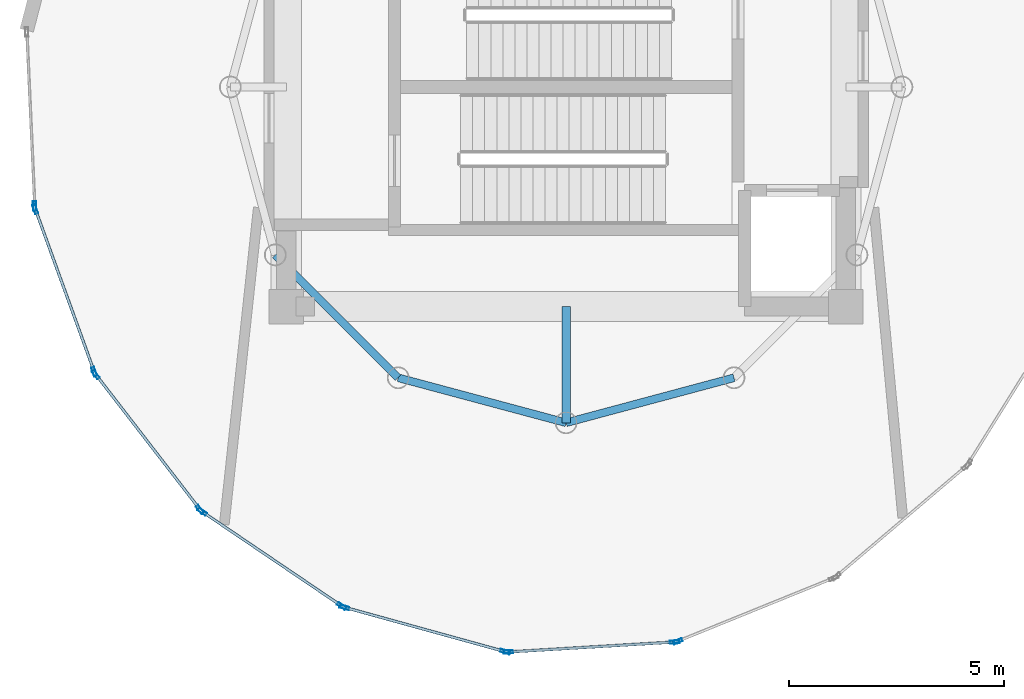
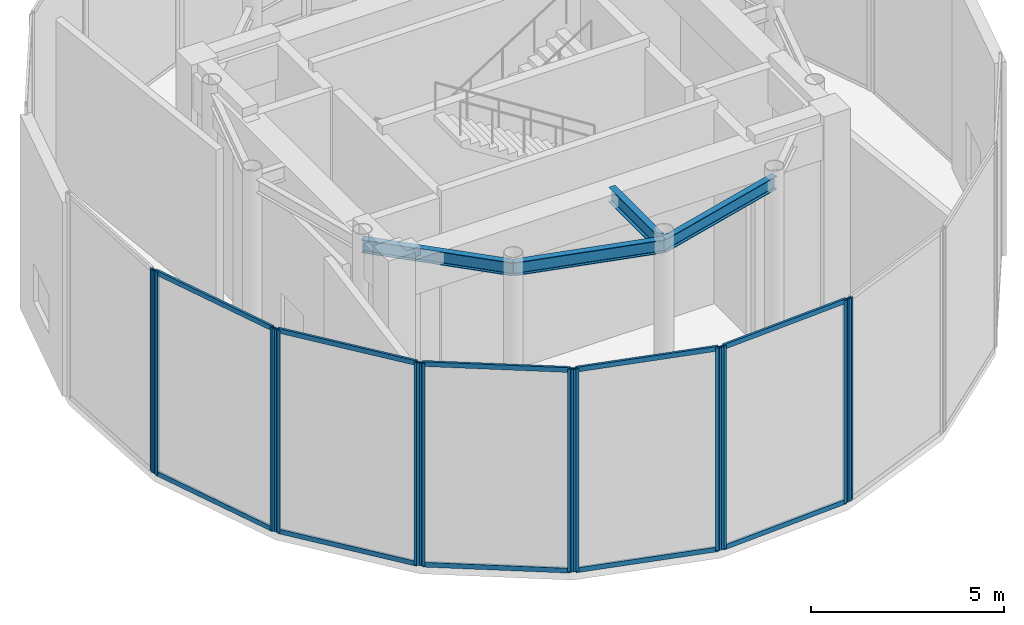
# One storey, part 2 of 10: 22 members, 4 beams, 7 elements without a shape of their own.
"""IFC4 building model written with IfcOpenShell, lengths in metres."""

from ifc_helpers import new_model, si_unit, direction, frame, origin, origin_2d, place, context, subcontext, project, spatial, hollow_rectangle, i_section, extrude, source, transform, mapped, material, layer, layer_set, material_profile, profile_set, type_object, element, aggregate, save


model = new_model("IFC4")

# Units and contexts
model_context = context("Model", 3, precision=1e-05, world=origin(), true_north=direction((0.0, 1.0)))
body_context = subcontext(model_context, "Body", "Model", "MODEL_VIEW")
ifc_project = project(units=[si_unit("LENGTHUNIT", "METRE"), si_unit("AREAUNIT", "SQUARE_METRE"), si_unit("VOLUMEUNIT", "CUBIC_METRE"), si_unit("PLANEANGLEUNIT", "RADIAN"), si_unit("MASSUNIT", "GRAM", prefix="KILO")], contexts=[model_context])

# Site, building, storey
site_placement = place(None, origin())
site = spatial("IfcSite", under=ifc_project, at=site_placement, CompositionType="ELEMENT")
building_placement = place(site_placement, origin())
building = spatial("IfcBuilding", under=site, at=building_placement, Name="Solvirekh Grand Hotel", CompositionType="ELEMENT")
storey_placement = place(building_placement, frame((0.0, 0.0, 308.199951171875)))
storey = spatial("IfcBuildingStorey", under=building, at=storey_placement, Name="L79", CompositionType="ELEMENT", Elevation=308.199951171875)

# Beams
ifc_material_1 = material(Name="Steel S355", Category="steel")
ifc_material_profile_1 = material_profile(ifc_material_1, i_section(OverallWidth=0.194091796875, OverallDepth=0.468994140625, WebThickness=0.010986328125, FlangeThickness=0.01904296875, FilletRadius=0.012939453125, at=origin_2d()), Name="W460X106")
ifc_profile_set_1 = profile_set([ifc_material_profile_1], Name="Steel S355")
beam_type_1 = type_object("IfcBeamType", Name="Beam_Radial_W460H", PredefinedType="BEAM", material=ifc_profile_set_1)
beam_placement = place(storey_placement, frame((0.0, -5.10009765625, 5.885009765625), z_axis=(0.0, -1.0, 0.0), x_axis=(1.0, 0.0, 0.0)))
element("IfcBeam", 1, at=beam_placement, inside=storey, type_object=beam_type_1, Name="L79 radial floor beam R10", PredefinedType="BEAM", context=body_context, shape_type="SweptSolid", body=[
    extrude(i_section(OverallWidth=0.194091796875, OverallDepth=0.468994140625, WebThickness=0.010986328125, FlangeThickness=0.01904296875, FilletRadius=0.012939453125, at=origin_2d()), origin(), (0.0, 0.0, 1.0), 2.699951171875),
])
ifc_material_profile_2 = material_profile(ifc_material_1, i_section(OverallWidth=0.180908203125, OverallDepth=0.4169921875, WebThickness=0.010009765625, FlangeThickness=0.01611328125, FilletRadius=0.011962890625, at=origin_2d()), Name="W410X85")
ifc_profile_set_2 = profile_set([ifc_material_profile_2], Name="Steel S355")
beam_type_2 = type_object("IfcBeamType", Name="Spandrel_Ring_W410", PredefinedType="SPANDREL", material=ifc_profile_set_2)
for number, where, z_axis, x_axis, name in (
    (2, (-6.7548828125, -3.89990234375, 5.9111328125), (0.707106781187, -0.707106781187, 0.0), (0.707106781187, 0.707106781187, 0.0), "L79 perimeter spandrel beam 8"),
    (3, (-3.89990234375, -6.7548828125, 5.9111328125), (0.965914040095, -0.258863027773, 0.0), (0.258863027773, 0.965914040095, 0.0), "L79 perimeter spandrel beam 9"),
    (4, (0.0, -7.800048828125, 5.9111328125), (0.965914040095, 0.258863027773, 0.0), (-0.258863027773, 0.965914040095, 0.0), "L79 perimeter spandrel beam 10"),
):
    element("IfcBeam", number, at=place(storey_placement, frame(where, z_axis=z_axis, x_axis=x_axis)), inside=storey, type_object=beam_type_2, Name=name, PredefinedType="SPANDREL", context=body_context, shape_type="SweptSolid", body=[
        extrude(i_section(OverallWidth=0.180908203125, OverallDepth=0.4169921875, WebThickness=0.010009765625, FlangeThickness=0.01611328125, FilletRadius=0.011962890625, at=origin_2d()), origin(), (0.0, 0.0, 1.0), 4.03759765625),
    ])

# Curtain wall, members
ifc_material_2 = material(Name="Anodized Bronze Aluminium 6063-T6", Category="aluminium")
ifc_layer = layer(ifc_material_2, 0.219970703125)
ifc_layer_set = layer_set([ifc_layer], Name="Anodized Bronze Aluminium 6063-T6")
curtain_wall_type = type_object("IfcCurtainWallType", Name="CW_Sys6_CrownFacetedPointCW", PredefinedType="NOTDEFINED", material=ifc_layer_set)
curtain_wall_1_placement = place(storey_placement, origin())
curtain_wall_1 = element("IfcCurtainWall", 5, at=curtain_wall_1_placement, inside=storey, type_object=curtain_wall_type, Name="L79 unitised bronze-glass curtain wall CW-L79-C01", PredefinedType="NOTDEFINED")
ifc_material_profile_3 = material_profile(ifc_material_2, hollow_rectangle(XDim=0.074951171875, YDim=0.219970703125, WallThickness=0.006103515625, at=origin_2d()), Name="ALU RHS 220X75X6")
ifc_profile_set_3 = profile_set([ifc_material_profile_3], Name="Anodized Bronze Aluminium 6063-T6")
member_type_1 = type_object("IfcMemberType", Name="CWMullion_Sys6", PredefinedType="MULLION", material=ifc_profile_set_3)
shared_shape_1 = source(origin(), body_context, "Body", "SweptSolid", [
    extrude(hollow_rectangle(XDim=0.074951171875, YDim=0.219970703125, WallThickness=0.006103515625, at=origin_2d()), origin(), (0.0, 0.0, 1.0), 6.400146484375),
])
member_1_placement = place(storey_placement, frame((-1.342529296875, -13.125732421875, 0.0), z_axis=(0.0, 0.0, 1.0), x_axis=(-0.059791312727, 0.99821089902, 0.0)))
member_1 = element("IfcMember", 6, at=member_1_placement, type_object=member_type_1, Name="U06 mullion 1", PredefinedType="MULLION", context=body_context, shape_type="MappedRepresentation", body=[
    mapped(shared_shape_1, transform((0.0, 0.0, 0.0), x_axis=(1.0, 0.0, 0.0), y_axis=(0.0, 1.0, 0.0), z_axis=(0.0, 0.0, 1.0), scale=1.0)),
])
member_2_placement = place(storey_placement, frame((2.5224609375, -12.894287109375, 0.0), z_axis=(0.0, 0.0, 1.0), x_axis=(-0.059791312727, 0.99821089902, 0.0)))
member_2 = element("IfcMember", 7, at=member_2_placement, type_object=member_type_1, Name="U06 mullion 2", PredefinedType="MULLION", context=body_context, shape_type="MappedRepresentation", body=[
    mapped(shared_shape_1, transform((0.0, 0.0, 0.0), x_axis=(1.0, 0.0, 0.0), y_axis=(0.0, 1.0, 0.0), z_axis=(0.0, 0.0, 1.0), scale=1.0)),
])

# Curtain wall, member
curtain_wall_2_placement = place(storey_placement, origin())
curtain_wall_2 = element("IfcCurtainWall", 8, at=curtain_wall_2_placement, inside=storey, type_object=curtain_wall_type, Name="L79 unitised bronze-glass curtain wall CW-L79-C02", PredefinedType="NOTDEFINED")
member_3_placement = place(storey_placement, frame((2.5947265625, -12.8779296875, 0.0), z_axis=(0.0, 0.0, 1.0), x_axis=(-0.376019931651, 0.926611575042, 0.0)))
member_3 = element("IfcMember", 9, at=member_3_placement, type_object=member_type_1, Name="U06 mullion 1", PredefinedType="MULLION", context=body_context, shape_type="MappedRepresentation", body=[
    mapped(shared_shape_1, transform((0.0, 0.0, 0.0), x_axis=(1.0, 0.0, 0.0), y_axis=(0.0, 1.0, 0.0), z_axis=(0.0, 0.0, 1.0), scale=1.0)),
])
aggregate(curtain_wall_2, [member_3])

curtain_wall_3_placement = place(storey_placement, origin())
curtain_wall_3 = element("IfcCurtainWall", 10, at=curtain_wall_3_placement, inside=storey, type_object=curtain_wall_type, Name="L79 unitised bronze-glass curtain wall CW-L79-C16", PredefinedType="NOTDEFINED")
member_4_placement = place(storey_placement, frame((-12.345703125, -2.7666015625, 0.0), z_axis=(0.0, 0.0, 1.0), x_axis=(0.998972035948, 0.045330689322, 0.0)))
member_4 = element("IfcMember", 11, at=member_4_placement, type_object=member_type_1, Name="U06 mullion 2", PredefinedType="MULLION", context=body_context, shape_type="MappedRepresentation", body=[
    mapped(shared_shape_1, transform((0.0, 0.0, 0.0), x_axis=(1.0, 0.0, 0.0), y_axis=(0.0, 1.0, 0.0), z_axis=(0.0, 0.0, 1.0), scale=1.0)),
])
aggregate(curtain_wall_3, [member_4])

# Curtain wall, members
curtain_wall_4_placement = place(storey_placement, origin())
curtain_wall_4 = element("IfcCurtainWall", 12, at=curtain_wall_4_placement, inside=storey, type_object=curtain_wall_type, Name="L79 unitised bronze-glass curtain wall CW-L79-C17", PredefinedType="NOTDEFINED")
member_5_placement = place(storey_placement, frame((-12.331298828125, -2.83935546875, 0.0), z_axis=(0.0, 0.0, 1.0), x_axis=(0.940099847814, 0.340899216983, 0.0)))
member_5 = element("IfcMember", 13, at=member_5_placement, type_object=member_type_1, Name="U06 mullion 1", PredefinedType="MULLION", context=body_context, shape_type="MappedRepresentation", body=[
    mapped(shared_shape_1, transform((0.0, 0.0, 0.0), x_axis=(1.0, 0.0, 0.0), y_axis=(0.0, 1.0, 0.0), z_axis=(0.0, 0.0, 1.0), scale=1.0)),
])
member_6_placement = place(storey_placement, frame((-10.961669921875, -6.61572265625, 0.0), z_axis=(0.0, 0.0, 1.0), x_axis=(0.940099847814, 0.340899216983, 0.0)))
member_6 = element("IfcMember", 14, at=member_6_placement, type_object=member_type_1, Name="U06 mullion 2", PredefinedType="MULLION", context=body_context, shape_type="MappedRepresentation", body=[
    mapped(shared_shape_1, transform((0.0, 0.0, 0.0), x_axis=(1.0, 0.0, 0.0), y_axis=(0.0, 1.0, 0.0), z_axis=(0.0, 0.0, 1.0), scale=1.0)),
])

curtain_wall_5_placement = place(storey_placement, origin())
curtain_wall_5 = element("IfcCurtainWall", 15, at=curtain_wall_5_placement, inside=storey, type_object=curtain_wall_type, Name="L79 unitised bronze-glass curtain wall CW-L79-C18", PredefinedType="NOTDEFINED")
member_7_placement = place(storey_placement, frame((-10.926025390625, -6.6806640625, 0.0), z_axis=(0.0, 0.0, 1.0), x_axis=(0.791508325312, 0.611158384514, 0.0)))
member_7 = element("IfcMember", 16, at=member_7_placement, type_object=member_type_1, Name="U06 mullion 1", PredefinedType="MULLION", context=body_context, shape_type="MappedRepresentation", body=[
    mapped(shared_shape_1, transform((0.0, 0.0, 0.0), x_axis=(1.0, 0.0, 0.0), y_axis=(0.0, 1.0, 0.0), z_axis=(0.0, 0.0, 1.0), scale=1.0)),
])
member_8_placement = place(storey_placement, frame((-8.5048828125, -9.81640625, 0.0), z_axis=(0.0, 0.0, 1.0), x_axis=(0.791508325312, 0.611158384514, 0.0)))
member_8 = element("IfcMember", 17, at=member_8_placement, type_object=member_type_1, Name="U06 mullion 2", PredefinedType="MULLION", context=body_context, shape_type="MappedRepresentation", body=[
    mapped(shared_shape_1, transform((0.0, 0.0, 0.0), x_axis=(1.0, 0.0, 0.0), y_axis=(0.0, 1.0, 0.0), z_axis=(0.0, 0.0, 1.0), scale=1.0)),
])

curtain_wall_6_placement = place(storey_placement, origin())
curtain_wall_6 = element("IfcCurtainWall", 18, at=curtain_wall_6_placement, inside=storey, type_object=curtain_wall_type, Name="L79 unitised bronze-glass curtain wall CW-L79-C19", PredefinedType="NOTDEFINED")
member_9_placement = place(storey_placement, frame((-8.450927734375, -9.866943359375, 0.0), z_axis=(0.0, 0.0, 1.0), x_axis=(0.560598209573, 0.828087946672, 0.0)))
member_9 = element("IfcMember", 19, at=member_9_placement, type_object=member_type_1, Name="U06 mullion 1", PredefinedType="MULLION", context=body_context, shape_type="MappedRepresentation", body=[
    mapped(shared_shape_1, transform((0.0, 0.0, 0.0), x_axis=(1.0, 0.0, 0.0), y_axis=(0.0, 1.0, 0.0), z_axis=(0.0, 0.0, 1.0), scale=1.0)),
])
member_10_placement = place(storey_placement, frame((-5.216064453125, -12.056884765625, 0.0), z_axis=(0.0, 0.0, 1.0), x_axis=(0.560598209573, 0.828087946672, 0.0)))
member_10 = element("IfcMember", 20, at=member_10_placement, type_object=member_type_1, Name="U06 mullion 2", PredefinedType="MULLION", context=body_context, shape_type="MappedRepresentation", body=[
    mapped(shared_shape_1, transform((0.0, 0.0, 0.0), x_axis=(1.0, 0.0, 0.0), y_axis=(0.0, 1.0, 0.0), z_axis=(0.0, 0.0, 1.0), scale=1.0)),
])

curtain_wall_7_placement = place(storey_placement, origin())
curtain_wall_7 = element("IfcCurtainWall", 21, at=curtain_wall_7_placement, inside=storey, type_object=curtain_wall_type, Name="L79 unitised bronze-glass curtain wall CW-L79-C20", PredefinedType="NOTDEFINED")
member_11_placement = place(storey_placement, frame((-5.14892578125, -12.087890625, 0.0), z_axis=(0.0, 0.0, 1.0), x_axis=(0.266010178933, 0.963970219822, 0.0)))
member_11 = element("IfcMember", 22, at=member_11_placement, type_object=member_type_1, Name="U06 mullion 1", PredefinedType="MULLION", context=body_context, shape_type="MappedRepresentation", body=[
    mapped(shared_shape_1, transform((0.0, 0.0, 0.0), x_axis=(1.0, 0.0, 0.0), y_axis=(0.0, 1.0, 0.0), z_axis=(0.0, 0.0, 1.0), scale=1.0)),
])
member_12_placement = place(storey_placement, frame((-1.416259765625, -13.117919921875, 0.0), z_axis=(0.0, 0.0, 1.0), x_axis=(0.266010178933, 0.963970219822, 0.0)))
member_12 = element("IfcMember", 23, at=member_12_placement, type_object=member_type_1, Name="U06 mullion 2", PredefinedType="MULLION", context=body_context, shape_type="MappedRepresentation", body=[
    mapped(shared_shape_1, transform((0.0, 0.0, 0.0), x_axis=(1.0, 0.0, 0.0), y_axis=(0.0, 1.0, 0.0), z_axis=(0.0, 0.0, 1.0), scale=1.0)),
])

# Member
ifc_material_profile_4 = material_profile(ifc_material_2, hollow_rectangle(XDim=0.06494140625, YDim=0.14990234375, WallThickness=0.0048828125, at=origin_2d()), Name="ALU RHS 150X65X5")
ifc_profile_set_4 = profile_set([ifc_material_profile_4], Name="Anodized Bronze Aluminium 6063-T6")
member_type_2 = type_object("IfcMemberType", Name="CWTransom_Sys6", PredefinedType="USERDEFINED", material=ifc_profile_set_4)
shared_shape_2 = source(origin(), body_context, "Body", "SweptSolid", [
    extrude(hollow_rectangle(XDim=0.06494140625, YDim=0.14990234375, WallThickness=0.0048828125, at=origin_2d()), origin(), (0.0, 0.0, 1.0), 3.797119140625),
])
member_13_placement = place(storey_placement, frame((-1.30517578125, -13.12353515625, 0.032470703125), z_axis=(0.998210606811, 0.059796190939, 0.0), x_axis=(-0.059796190939, 0.998210606811, 0.0)))
member_13 = element("IfcMember", 24, at=member_13_placement, type_object=member_type_2, Name="U06 transom 1.1", ObjectType="TRANSOM", PredefinedType="USERDEFINED", context=body_context, shape_type="MappedRepresentation", body=[
    mapped(shared_shape_2, transform((0.0, 0.0, 0.0), x_axis=(1.0, 0.0, 0.0), y_axis=(0.0, 1.0, 0.0), z_axis=(0.0, 0.0, 1.0), scale=1.0)),
])

member_14_placement = place(storey_placement, frame((-1.30517578125, -13.12353515625, 6.367431640625), z_axis=(0.998210606811, 0.059796190939, 0.0), x_axis=(-0.059796190939, 0.998210606811, 0.0)))
member_14 = element("IfcMember", 25, at=member_14_placement, type_object=member_type_2, Name="U06 transom 1.2", ObjectType="TRANSOM", PredefinedType="USERDEFINED", context=body_context, shape_type="MappedRepresentation", body=[
    mapped(shared_shape_2, transform((0.0, 0.0, 0.0), x_axis=(1.0, 0.0, 0.0), y_axis=(0.0, 1.0, 0.0), z_axis=(0.0, 0.0, 1.0), scale=1.0)),
])

aggregate(curtain_wall_1, [member_1, member_2, member_13, member_14])

shared_shape_3 = source(origin(), body_context, "Body", "SweptSolid", [
    extrude(hollow_rectangle(XDim=0.06494140625, YDim=0.14990234375, WallThickness=0.0048828125, at=origin_2d()), origin(), (0.0, 0.0, 1.0), 3.942138671875),
])
member_15_placement = place(storey_placement, frame((-12.318359375, -2.87451171875, 0.032470703125), z_axis=(0.340867745216, -0.940111259517, 0.0), x_axis=(0.940111259517, 0.340867745216, 0.0)))
member_15 = element("IfcMember", 26, at=member_15_placement, type_object=member_type_2, Name="U06 transom 1.1", ObjectType="TRANSOM", PredefinedType="USERDEFINED", context=body_context, shape_type="MappedRepresentation", body=[
    mapped(shared_shape_3, transform((0.0, 0.0, 0.0), x_axis=(1.0, 0.0, 0.0), y_axis=(0.0, 1.0, 0.0), z_axis=(0.0, 0.0, 1.0), scale=1.0)),
])

member_16_placement = place(storey_placement, frame((-12.318359375, -2.87451171875, 6.367431640625), z_axis=(0.340867745216, -0.940111259517, 0.0), x_axis=(0.940111259517, 0.340867745216, 0.0)))
member_16 = element("IfcMember", 27, at=member_16_placement, type_object=member_type_2, Name="U06 transom 1.2", ObjectType="TRANSOM", PredefinedType="USERDEFINED", context=body_context, shape_type="MappedRepresentation", body=[
    mapped(shared_shape_3, transform((0.0, 0.0, 0.0), x_axis=(1.0, 0.0, 0.0), y_axis=(0.0, 1.0, 0.0), z_axis=(0.0, 0.0, 1.0), scale=1.0)),
])

aggregate(curtain_wall_4, [member_5, member_6, member_15, member_16])

shared_shape_4 = source(origin(), body_context, "Body", "SweptSolid", [
    extrude(hollow_rectangle(XDim=0.06494140625, YDim=0.14990234375, WallThickness=0.0048828125, at=origin_2d()), origin(), (0.0, 0.0, 1.0), 3.886474609375),
])
member_17_placement = place(storey_placement, frame((-10.903076171875, -6.71044921875, 0.032470703125), z_axis=(0.611157830227, -0.791508753301, 0.0), x_axis=(0.791508753301, 0.611157830227, 0.0)))
member_17 = element("IfcMember", 28, at=member_17_placement, type_object=member_type_2, Name="U06 transom 1.1", ObjectType="TRANSOM", PredefinedType="USERDEFINED", context=body_context, shape_type="MappedRepresentation", body=[
    mapped(shared_shape_4, transform((0.0, 0.0, 0.0), x_axis=(1.0, 0.0, 0.0), y_axis=(0.0, 1.0, 0.0), z_axis=(0.0, 0.0, 1.0), scale=1.0)),
])

member_18_placement = place(storey_placement, frame((-10.903076171875, -6.71044921875, 6.367431640625), z_axis=(0.611157830227, -0.791508753301, 0.0), x_axis=(0.791508753301, 0.611157830227, 0.0)))
member_18 = element("IfcMember", 29, at=member_18_placement, type_object=member_type_2, Name="U06 transom 1.2", ObjectType="TRANSOM", PredefinedType="USERDEFINED", context=body_context, shape_type="MappedRepresentation", body=[
    mapped(shared_shape_4, transform((0.0, 0.0, 0.0), x_axis=(1.0, 0.0, 0.0), y_axis=(0.0, 1.0, 0.0), z_axis=(0.0, 0.0, 1.0), scale=1.0)),
])

aggregate(curtain_wall_5, [member_7, member_8, member_17, member_18])

shared_shape_5 = source(origin(), body_context, "Body", "SweptSolid", [
    extrude(hollow_rectangle(XDim=0.06494140625, YDim=0.14990234375, WallThickness=0.0048828125, at=origin_2d()), origin(), (0.0, 0.0, 1.0), 3.79736328125),
])
member_19_placement = place(storey_placement, frame((-5.11279296875, -12.097900390625, 0.032470703125), z_axis=(0.963959646814, -0.26604849053, 0.0), x_axis=(0.26604849053, 0.963959646814, 0.0)))
member_19 = element("IfcMember", 30, at=member_19_placement, type_object=member_type_2, Name="U06 transom 1.1", ObjectType="TRANSOM", PredefinedType="USERDEFINED", context=body_context, shape_type="MappedRepresentation", body=[
    mapped(shared_shape_5, transform((0.0, 0.0, 0.0), x_axis=(1.0, 0.0, 0.0), y_axis=(0.0, 1.0, 0.0), z_axis=(0.0, 0.0, 1.0), scale=1.0)),
])

member_20_placement = place(storey_placement, frame((-5.11279296875, -12.097900390625, 6.367431640625), z_axis=(0.963959646814, -0.26604849053, 0.0), x_axis=(0.26604849053, 0.963959646814, 0.0)))
member_20 = element("IfcMember", 31, at=member_20_placement, type_object=member_type_2, Name="U06 transom 1.2", ObjectType="TRANSOM", PredefinedType="USERDEFINED", context=body_context, shape_type="MappedRepresentation", body=[
    mapped(shared_shape_5, transform((0.0, 0.0, 0.0), x_axis=(1.0, 0.0, 0.0), y_axis=(0.0, 1.0, 0.0), z_axis=(0.0, 0.0, 1.0), scale=1.0)),
])

aggregate(curtain_wall_7, [member_11, member_12, member_19, member_20])

shared_shape_6 = source(origin(), body_context, "Body", "SweptSolid", [
    extrude(hollow_rectangle(XDim=0.06494140625, YDim=0.14990234375, WallThickness=0.0048828125, at=origin_2d()), origin(), (0.0, 0.0, 1.0), 3.83154296875),
])
member_21_placement = place(storey_placement, frame((-8.419921875, -9.887939453125, 0.032470703125), z_axis=(0.828088538805, -0.560597334903, 0.0), x_axis=(0.560597334903, 0.828088538805, 0.0)))
member_21 = element("IfcMember", 32, at=member_21_placement, type_object=member_type_2, Name="U06 transom 1.1", ObjectType="TRANSOM", PredefinedType="USERDEFINED", context=body_context, shape_type="MappedRepresentation", body=[
    mapped(shared_shape_6, transform((0.0, 0.0, 0.0), x_axis=(1.0, 0.0, 0.0), y_axis=(0.0, 1.0, 0.0), z_axis=(0.0, 0.0, 1.0), scale=1.0)),
])

member_22_placement = place(storey_placement, frame((-8.419921875, -9.887939453125, 6.367431640625), z_axis=(0.828088538805, -0.560597334903, 0.0), x_axis=(0.560597334903, 0.828088538805, 0.0)))
member_22 = element("IfcMember", 33, at=member_22_placement, type_object=member_type_2, Name="U06 transom 1.2", ObjectType="TRANSOM", PredefinedType="USERDEFINED", context=body_context, shape_type="MappedRepresentation", body=[
    mapped(shared_shape_6, transform((0.0, 0.0, 0.0), x_axis=(1.0, 0.0, 0.0), y_axis=(0.0, 1.0, 0.0), z_axis=(0.0, 0.0, 1.0), scale=1.0)),
])

aggregate(curtain_wall_6, [member_9, member_10, member_21, member_22])

save(model, "model.ifc")
